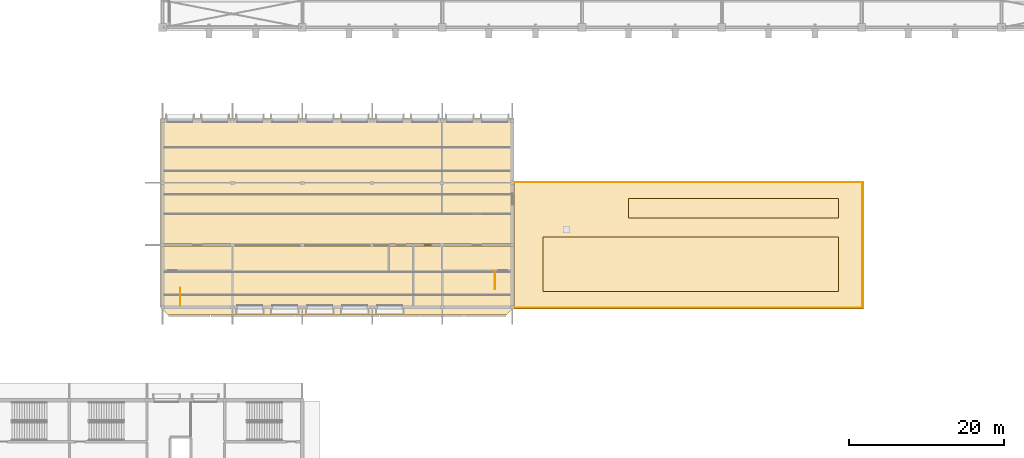
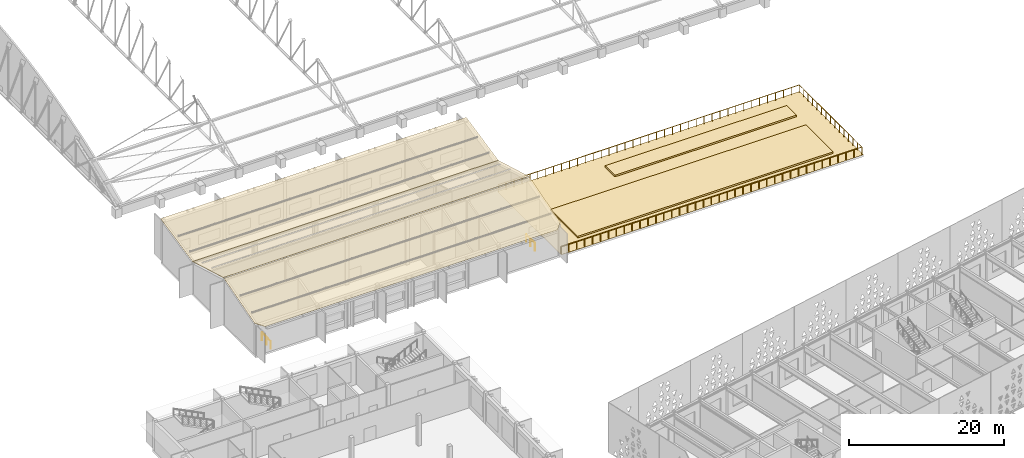
# One storey, part 189 of 196: 6 coverings, 3 railings.
"""IFC4 building model written with IfcOpenShell, lengths in metres."""

from ifc_helpers import new_model, si_unit, direction, frame, origin, origin_2d, place, context, subcontext, project, spatial, polyline, circle, outline, extrude, material, layer, layer_set, type_object, element, save


model = new_model("IFC4")

# Units and contexts
model_context = context("Model", 3, precision=1e-05, world=origin(), true_north=direction((0.0, 1.0)))
body_context = subcontext(model_context, "Body", "Model", "MODEL_VIEW")
ifc_project = project(units=[si_unit("LENGTHUNIT", "METRE"), si_unit("AREAUNIT", "SQUARE_METRE"), si_unit("VOLUMEUNIT", "CUBIC_METRE"), si_unit("PLANEANGLEUNIT", "RADIAN"), si_unit("MASSUNIT", "GRAM", prefix="KILO")], contexts=[model_context])

# Site, building, storey
site_placement = place(None, origin())
site = spatial("IfcSite", under=ifc_project, at=site_placement, CompositionType="ELEMENT")
building_placement = place(site_placement, origin())
building = spatial("IfcBuilding", under=site, at=building_placement, Name="Okhra Congress Centre", CompositionType="ELEMENT")
storey_placement = place(building_placement, frame((0.0, 0.0, 12.0)))
storey = spatial("IfcBuildingStorey", under=building, at=storey_placement, Name="L02", CompositionType="ELEMENT", Elevation=12.0)

# Coverings
ifc_material_1 = material(Name="Drainage mat, filter fleece, 150 mm lightweight substrate with sedum and herb planting")
ifc_layer_1 = layer(ifc_material_1, 0.25)
ifc_layer_set_1 = layer_set([ifc_layer_1], Name="Green roof planting bed 250")
covering_type_1 = type_object("IfcCoveringType", Name="Green roof planting bed 250", PredefinedType="USERDEFINED", material=ifc_layer_set_1)
covering_1_placement = place(storey_placement, frame((0.0, 0.0, 0.006103515625)))
element("IfcCovering", 1, at=covering_1_placement, inside=storey, type_object=covering_type_1, Name="Green roof planting bed", ObjectType="GREEN ROOF", PredefinedType="USERDEFINED", context=body_context, shape_type="SweptSolid", body=[
    extrude(outline(polyline([(77.0, 98.0), (115.0, 98.0), (115.0, 105.0), (77.0, 105.0), (77.0, 98.0)])), origin(), (0.0, 0.0, 1.0), 0.25),
])
covering_2_placement = place(storey_placement, frame((0.0, 0.0, 0.006103515625)))
element("IfcCovering", 2, at=covering_2_placement, inside=storey, type_object=covering_type_1, Name="Green roof planting bed", ObjectType="GREEN ROOF", PredefinedType="USERDEFINED", context=body_context, shape_type="SweptSolid", body=[
    extrude(outline(polyline([(88.0, 107.5), (115.0, 107.5), (115.0, 110.0), (88.0, 110.0), (88.0, 107.5)])), origin(), (0.0, 0.0, 1.0), 0.25),
])
ifc_material_2 = material(Name="Root-resistant bituminous waterproofing membrane, two layers")
ifc_layer_2 = layer(ifc_material_2, 0.006103515625)
ifc_layer_set_2 = layer_set([ifc_layer_2], Name="Roof waterproofing membrane 6")
covering_type_2 = type_object("IfcCoveringType", Name="Roof waterproofing membrane 6", PredefinedType="MEMBRANE", material=ifc_layer_set_2)
covering_3_placement = place(storey_placement, origin())
element("IfcCovering", 3, at=covering_3_placement, inside=storey, type_object=covering_type_2, Name="Roof waterproofing membrane", PredefinedType="MEMBRANE", context=body_context, shape_type="SweptSolid", body=[
    extrude(outline(polyline([(73.22509765625, 95.77490234375), (118.22509765625, 95.77490234375), (118.22509765625, 112.22509765625), (73.22509765625, 112.22509765625), (73.22509765625, 95.77490234375)])), origin(), (0.0, 0.0, 1.0), 0.006103515625),
])
ifc_material_3 = material(Name="Titanium-zinc standing-seam sheet on vapour-open underlay and timber boarding", Category="wood")
ifc_layer_3 = layer(ifc_material_3, 0.050048828125)
ifc_layer_set_3 = layer_set([ifc_layer_3], Name="Standing-seam zinc roofing 50")
covering_type_3 = type_object("IfcCoveringType", Name="Standing-seam zinc roofing 50", PredefinedType="ROOFING", material=ifc_layer_set_3)
covering_4_placement = place(storey_placement, frame((28.75, 95.0, 4.765380859375), z_axis=(0.0, -0.27563723116, 0.961261731683), x_axis=(1.0, 0.0, 0.0)))
element("IfcCovering", 4, at=covering_4_placement, inside=storey, type_object=covering_type_3, Name="Standing-seam roofing", PredefinedType="ROOFING", context=body_context, shape_type="SweptSolid", body=[
    extrude(outline(polyline([(0.0, 0.0), (43.5, 0.0), (44.5, 1.0402651763564303), (44.5, 9.258562291038155), (-1.0, 9.258562291038155), (-1.0, 1.0402651763564303), (0.0, 0.0)])), origin(), (0.0, 0.0, -1.0), 0.050048828125),
])
covering_5_placement = place(storey_placement, frame((27.75, 104.10009765625, 7.3173828125), z_axis=(0.0, 0.275650883332, 0.961257816883), x_axis=(1.0, 0.0, 0.0)))
element("IfcCovering", 5, at=covering_5_placement, inside=storey, type_object=covering_type_3, Name="Standing-seam roofing", PredefinedType="ROOFING", context=body_context, shape_type="SweptSolid", body=[
    extrude(outline(polyline([(0.0, 0.0), (45.5, 0.0), (45.5, 8.21829711551057), (0.0, 8.21829711551057), (0.0, 0.0)])), origin(), (0.0, 0.0, -1.0), 0.050048828125),
])
covering_6_placement = place(storey_placement, frame((27.75, 112.0, 5.051025390625), z_axis=(0.0, -0.20791968542, 0.978145901394), x_axis=(1.0, 0.0, 0.0)))
element("IfcCovering", 6, at=covering_6_placement, inside=storey, type_object=covering_type_3, Name="Standing-seam roofing", PredefinedType="ROOFING", context=body_context, shape_type="SweptSolid", body=[
    extrude(outline(polyline([(0.0, 0.0), (45.5, 0.0), (45.5, 8.434324560618803), (0.0, 8.434324560618803), (0.0, 0.0)])), origin(), (0.0, 0.0, -1.0), 0.050048828125),
])

# Railings
ifc_material_4 = material(Name="Painted steel tube guard with vertical steel balusters", Category="steel")
railing_type_1 = type_object("IfcRailingType", Name="Steel guard 1200", PredefinedType="GUARDRAIL", material=ifc_material_4)
railing_1_placement = place(storey_placement, frame((73.27490234375, 95.925048828125, 0.0)))
element("IfcRailing", 7, at=railing_1_placement, inside=storey, type_object=railing_type_1, Name="Roof garden guard, L01 block", PredefinedType="GUARDRAIL", context=body_context, shape_type="SweptSolid", body=[
    extrude(circle(Radius=0.02392578125, at=origin_2d()), frame((0.0, 0.0, 1.17578125), z_axis=(1.0, 0.0, 0.0), x_axis=(0.0, 1.0, 0.0)), (0.0, 0.0, 1.0), 44.800048828125),
    extrude(circle(Radius=0.02392578125, at=origin_2d()), frame((44.800048828125, 0.0, 1.17578125), z_axis=(0.0, 1.0, 0.0), x_axis=(-1.0, 0.0, 0.0)), (0.0, 0.0, 1.0), 16.14990234375),
    extrude(circle(Radius=0.02392578125, at=origin_2d()), frame((44.800048828125, 16.14990234375, 1.17578125), z_axis=(-1.0, 0.0, 0.0), x_axis=(0.0, -1.0, 0.0)), (0.0, 0.0, 1.0), 44.800048828125),
    extrude(circle(Radius=0.02099609375, at=origin_2d()), origin(), (0.0, 0.0, 1.0), 1.15185546875),
    extrude(circle(Radius=0.02099609375, at=origin_2d()), frame((1.178955078125, 0.0, 0.0)), (0.0, 0.0, 1.0), 1.15185546875),
    extrude(circle(Radius=0.02099609375, at=origin_2d()), frame((2.35791015625, 0.0, 0.0)), (0.0, 0.0, 1.0), 1.15185546875),
    extrude(circle(Radius=0.02099609375, at=origin_2d()), frame((3.536865234375, 0.0, 0.0)), (0.0, 0.0, 1.0), 1.15185546875),
    extrude(circle(Radius=0.02099609375, at=origin_2d()), frame((4.7158203125, 0.0, 0.0)), (0.0, 0.0, 1.0), 1.15185546875),
    extrude(circle(Radius=0.02099609375, at=origin_2d()), frame((5.894775390625, 0.0, 0.0)), (0.0, 0.0, 1.0), 1.15185546875),
    extrude(circle(Radius=0.02099609375, at=origin_2d()), frame((7.07373046875, 0.0, 0.0)), (0.0, 0.0, 1.0), 1.15185546875),
    extrude(circle(Radius=0.02099609375, at=origin_2d()), frame((8.252685546875, 0.0, 0.0)), (0.0, 0.0, 1.0), 1.15185546875),
    extrude(circle(Radius=0.02099609375, at=origin_2d()), frame((9.431640625, 0.0, 0.0)), (0.0, 0.0, 1.0), 1.15185546875),
    extrude(circle(Radius=0.02099609375, at=origin_2d()), frame((10.610595703125, 0.0, 0.0)), (0.0, 0.0, 1.0), 1.15185546875),
    extrude(circle(Radius=0.02099609375, at=origin_2d()), frame((11.78955078125, 0.0, 0.0)), (0.0, 0.0, 1.0), 1.15185546875),
    extrude(circle(Radius=0.02099609375, at=origin_2d()), frame((12.968505859375, 0.0, 0.0)), (0.0, 0.0, 1.0), 1.15185546875),
    extrude(circle(Radius=0.02099609375, at=origin_2d()), frame((14.1474609375, 0.0, 0.0)), (0.0, 0.0, 1.0), 1.15185546875),
    extrude(circle(Radius=0.02099609375, at=origin_2d()), frame((15.326416015625, 0.0, 0.0)), (0.0, 0.0, 1.0), 1.15185546875),
    extrude(circle(Radius=0.02099609375, at=origin_2d()), frame((16.50537109375, 0.0, 0.0)), (0.0, 0.0, 1.0), 1.15185546875),
    extrude(circle(Radius=0.02099609375, at=origin_2d()), frame((17.684326171875, 0.0, 0.0)), (0.0, 0.0, 1.0), 1.15185546875),
    extrude(circle(Radius=0.02099609375, at=origin_2d()), frame((18.86328125, 0.0, 0.0)), (0.0, 0.0, 1.0), 1.15185546875),
    extrude(circle(Radius=0.02099609375, at=origin_2d()), frame((20.042236328125, 0.0, 0.0)), (0.0, 0.0, 1.0), 1.15185546875),
    extrude(circle(Radius=0.02099609375, at=origin_2d()), frame((21.22119140625, 0.0, 0.0)), (0.0, 0.0, 1.0), 1.15185546875),
    extrude(circle(Radius=0.02099609375, at=origin_2d()), frame((22.39990234375, 0.0, 0.0)), (0.0, 0.0, 1.0), 1.15185546875),
    extrude(circle(Radius=0.02099609375, at=origin_2d()), frame((23.578857421875, 0.0, 0.0)), (0.0, 0.0, 1.0), 1.15185546875),
    extrude(circle(Radius=0.02099609375, at=origin_2d()), frame((24.7578125, 0.0, 0.0)), (0.0, 0.0, 1.0), 1.15185546875),
    extrude(circle(Radius=0.02099609375, at=origin_2d()), frame((25.936767578125, 0.0, 0.0)), (0.0, 0.0, 1.0), 1.15185546875),
    extrude(circle(Radius=0.02099609375, at=origin_2d()), frame((27.11572265625, 0.0, 0.0)), (0.0, 0.0, 1.0), 1.15185546875),
    extrude(circle(Radius=0.02099609375, at=origin_2d()), frame((28.294677734375, 0.0, 0.0)), (0.0, 0.0, 1.0), 1.15185546875),
    extrude(circle(Radius=0.02099609375, at=origin_2d()), frame((29.4736328125, 0.0, 0.0)), (0.0, 0.0, 1.0), 1.15185546875),
    extrude(circle(Radius=0.02099609375, at=origin_2d()), frame((30.652587890625, 0.0, 0.0)), (0.0, 0.0, 1.0), 1.15185546875),
    extrude(circle(Radius=0.02099609375, at=origin_2d()), frame((31.83154296875, 0.0, 0.0)), (0.0, 0.0, 1.0), 1.15185546875),
    extrude(circle(Radius=0.02099609375, at=origin_2d()), frame((33.010498046875, 0.0, 0.0)), (0.0, 0.0, 1.0), 1.15185546875),
    extrude(circle(Radius=0.02099609375, at=origin_2d()), frame((34.189453125, 0.0, 0.0)), (0.0, 0.0, 1.0), 1.15185546875),
    extrude(circle(Radius=0.02099609375, at=origin_2d()), frame((35.368408203125, 0.0, 0.0)), (0.0, 0.0, 1.0), 1.15185546875),
    extrude(circle(Radius=0.02099609375, at=origin_2d()), frame((36.54736328125, 0.0, 0.0)), (0.0, 0.0, 1.0), 1.15185546875),
    extrude(circle(Radius=0.02099609375, at=origin_2d()), frame((37.726318359375, 0.0, 0.0)), (0.0, 0.0, 1.0), 1.15185546875),
    extrude(circle(Radius=0.02099609375, at=origin_2d()), frame((38.9052734375, 0.0, 0.0)), (0.0, 0.0, 1.0), 1.15185546875),
    extrude(circle(Radius=0.02099609375, at=origin_2d()), frame((40.084228515625, 0.0, 0.0)), (0.0, 0.0, 1.0), 1.15185546875),
    extrude(circle(Radius=0.02099609375, at=origin_2d()), frame((41.26318359375, 0.0, 0.0)), (0.0, 0.0, 1.0), 1.15185546875),
    extrude(circle(Radius=0.02099609375, at=origin_2d()), frame((42.442138671875, 0.0, 0.0)), (0.0, 0.0, 1.0), 1.15185546875),
    extrude(circle(Radius=0.02099609375, at=origin_2d()), frame((43.62109375, 0.0, 0.0)), (0.0, 0.0, 1.0), 1.15185546875),
    extrude(circle(Radius=0.02099609375, at=origin_2d()), frame((44.800048828125, 0.0, 0.0)), (0.0, 0.0, 1.0), 1.15185546875),
    extrude(circle(Radius=0.02099609375, at=origin_2d()), frame((44.800048828125, 1.153564453125, 0.0)), (0.0, 0.0, 1.0), 1.15185546875),
    extrude(circle(Radius=0.02099609375, at=origin_2d()), frame((44.800048828125, 2.30712890625, 0.0)), (0.0, 0.0, 1.0), 1.15185546875),
    extrude(circle(Radius=0.02099609375, at=origin_2d()), frame((44.800048828125, 3.460693359375, 0.0)), (0.0, 0.0, 1.0), 1.15185546875),
    extrude(circle(Radius=0.02099609375, at=origin_2d()), frame((44.800048828125, 4.6142578125, 0.0)), (0.0, 0.0, 1.0), 1.15185546875),
    extrude(circle(Radius=0.02099609375, at=origin_2d()), frame((44.800048828125, 5.767822265625, 0.0)), (0.0, 0.0, 1.0), 1.15185546875),
    extrude(circle(Radius=0.02099609375, at=origin_2d()), frame((44.800048828125, 6.92138671875, 0.0)), (0.0, 0.0, 1.0), 1.15185546875),
    extrude(circle(Radius=0.02099609375, at=origin_2d()), frame((44.800048828125, 8.074951171875, 0.0)), (0.0, 0.0, 1.0), 1.15185546875),
    extrude(circle(Radius=0.02099609375, at=origin_2d()), frame((44.800048828125, 9.228515625, 0.0)), (0.0, 0.0, 1.0), 1.15185546875),
    extrude(circle(Radius=0.02099609375, at=origin_2d()), frame((44.800048828125, 10.382080078125, 0.0)), (0.0, 0.0, 1.0), 1.15185546875),
    extrude(circle(Radius=0.02099609375, at=origin_2d()), frame((44.800048828125, 11.53564453125, 0.0)), (0.0, 0.0, 1.0), 1.15185546875),
    extrude(circle(Radius=0.02099609375, at=origin_2d()), frame((44.800048828125, 12.689208984375, 0.0)), (0.0, 0.0, 1.0), 1.15185546875),
    extrude(circle(Radius=0.02099609375, at=origin_2d()), frame((44.800048828125, 13.8427734375, 0.0)), (0.0, 0.0, 1.0), 1.15185546875),
    extrude(circle(Radius=0.02099609375, at=origin_2d()), frame((44.800048828125, 14.996337890625, 0.0)), (0.0, 0.0, 1.0), 1.15185546875),
    extrude(circle(Radius=0.02099609375, at=origin_2d()), frame((44.800048828125, 16.14990234375, 0.0)), (0.0, 0.0, 1.0), 1.15185546875),
    extrude(circle(Radius=0.02099609375, at=origin_2d()), frame((43.62109375, 16.14990234375, 0.0)), (0.0, 0.0, 1.0), 1.15185546875),
    extrude(circle(Radius=0.02099609375, at=origin_2d()), frame((42.442138671875, 16.14990234375, 0.0)), (0.0, 0.0, 1.0), 1.15185546875),
    extrude(circle(Radius=0.02099609375, at=origin_2d()), frame((41.26318359375, 16.14990234375, 0.0)), (0.0, 0.0, 1.0), 1.15185546875),
    extrude(circle(Radius=0.02099609375, at=origin_2d()), frame((40.084228515625, 16.14990234375, 0.0)), (0.0, 0.0, 1.0), 1.15185546875),
    extrude(circle(Radius=0.02099609375, at=origin_2d()), frame((38.9052734375, 16.14990234375, 0.0)), (0.0, 0.0, 1.0), 1.15185546875),
    extrude(circle(Radius=0.02099609375, at=origin_2d()), frame((37.726318359375, 16.14990234375, 0.0)), (0.0, 0.0, 1.0), 1.15185546875),
    extrude(circle(Radius=0.02099609375, at=origin_2d()), frame((36.54736328125, 16.14990234375, 0.0)), (0.0, 0.0, 1.0), 1.15185546875),
    extrude(circle(Radius=0.02099609375, at=origin_2d()), frame((35.368408203125, 16.14990234375, 0.0)), (0.0, 0.0, 1.0), 1.15185546875),
    extrude(circle(Radius=0.02099609375, at=origin_2d()), frame((34.189453125, 16.14990234375, 0.0)), (0.0, 0.0, 1.0), 1.15185546875),
    extrude(circle(Radius=0.02099609375, at=origin_2d()), frame((33.010498046875, 16.14990234375, 0.0)), (0.0, 0.0, 1.0), 1.15185546875),
    extrude(circle(Radius=0.02099609375, at=origin_2d()), frame((31.83154296875, 16.14990234375, 0.0)), (0.0, 0.0, 1.0), 1.15185546875),
    extrude(circle(Radius=0.02099609375, at=origin_2d()), frame((30.652587890625, 16.14990234375, 0.0)), (0.0, 0.0, 1.0), 1.15185546875),
    extrude(circle(Radius=0.02099609375, at=origin_2d()), frame((29.4736328125, 16.14990234375, 0.0)), (0.0, 0.0, 1.0), 1.15185546875),
    extrude(circle(Radius=0.02099609375, at=origin_2d()), frame((28.294677734375, 16.14990234375, 0.0)), (0.0, 0.0, 1.0), 1.15185546875),
    extrude(circle(Radius=0.02099609375, at=origin_2d()), frame((27.11572265625, 16.14990234375, 0.0)), (0.0, 0.0, 1.0), 1.15185546875),
    extrude(circle(Radius=0.02099609375, at=origin_2d()), frame((25.936767578125, 16.14990234375, 0.0)), (0.0, 0.0, 1.0), 1.15185546875),
    extrude(circle(Radius=0.02099609375, at=origin_2d()), frame((24.7578125, 16.14990234375, 0.0)), (0.0, 0.0, 1.0), 1.15185546875),
    extrude(circle(Radius=0.02099609375, at=origin_2d()), frame((23.578857421875, 16.14990234375, 0.0)), (0.0, 0.0, 1.0), 1.15185546875),
    extrude(circle(Radius=0.02099609375, at=origin_2d()), frame((22.39990234375, 16.14990234375, 0.0)), (0.0, 0.0, 1.0), 1.15185546875),
    extrude(circle(Radius=0.02099609375, at=origin_2d()), frame((21.22119140625, 16.14990234375, 0.0)), (0.0, 0.0, 1.0), 1.15185546875),
    extrude(circle(Radius=0.02099609375, at=origin_2d()), frame((20.042236328125, 16.14990234375, 0.0)), (0.0, 0.0, 1.0), 1.15185546875),
    extrude(circle(Radius=0.02099609375, at=origin_2d()), frame((18.86328125, 16.14990234375, 0.0)), (0.0, 0.0, 1.0), 1.15185546875),
    extrude(circle(Radius=0.02099609375, at=origin_2d()), frame((17.684326171875, 16.14990234375, 0.0)), (0.0, 0.0, 1.0), 1.15185546875),
    extrude(circle(Radius=0.02099609375, at=origin_2d()), frame((16.50537109375, 16.14990234375, 0.0)), (0.0, 0.0, 1.0), 1.15185546875),
    extrude(circle(Radius=0.02099609375, at=origin_2d()), frame((15.326416015625, 16.14990234375, 0.0)), (0.0, 0.0, 1.0), 1.15185546875),
    extrude(circle(Radius=0.02099609375, at=origin_2d()), frame((14.1474609375, 16.14990234375, 0.0)), (0.0, 0.0, 1.0), 1.15185546875),
    extrude(circle(Radius=0.02099609375, at=origin_2d()), frame((12.968505859375, 16.14990234375, 0.0)), (0.0, 0.0, 1.0), 1.15185546875),
    extrude(circle(Radius=0.02099609375, at=origin_2d()), frame((11.78955078125, 16.14990234375, 0.0)), (0.0, 0.0, 1.0), 1.15185546875),
    extrude(circle(Radius=0.02099609375, at=origin_2d()), frame((10.610595703125, 16.14990234375, 0.0)), (0.0, 0.0, 1.0), 1.15185546875),
    extrude(circle(Radius=0.02099609375, at=origin_2d()), frame((9.431640625, 16.14990234375, 0.0)), (0.0, 0.0, 1.0), 1.15185546875),
    extrude(circle(Radius=0.02099609375, at=origin_2d()), frame((8.252685546875, 16.14990234375, 0.0)), (0.0, 0.0, 1.0), 1.15185546875),
    extrude(circle(Radius=0.02099609375, at=origin_2d()), frame((7.07373046875, 16.14990234375, 0.0)), (0.0, 0.0, 1.0), 1.15185546875),
    extrude(circle(Radius=0.02099609375, at=origin_2d()), frame((5.894775390625, 16.14990234375, 0.0)), (0.0, 0.0, 1.0), 1.15185546875),
    extrude(circle(Radius=0.02099609375, at=origin_2d()), frame((4.7158203125, 16.14990234375, 0.0)), (0.0, 0.0, 1.0), 1.15185546875),
    extrude(circle(Radius=0.02099609375, at=origin_2d()), frame((3.536865234375, 16.14990234375, 0.0)), (0.0, 0.0, 1.0), 1.15185546875),
    extrude(circle(Radius=0.02099609375, at=origin_2d()), frame((2.35791015625, 16.14990234375, 0.0)), (0.0, 0.0, 1.0), 1.15185546875),
    extrude(circle(Radius=0.02099609375, at=origin_2d()), frame((1.178955078125, 16.14990234375, 0.0)), (0.0, 0.0, 1.0), 1.15185546875),
    extrude(circle(Radius=0.02099609375, at=origin_2d()), frame((0.0, 16.14990234375, 0.0)), (0.0, 0.0, 1.0), 1.15185546875),
])
railing_type_2 = type_object("IfcRailingType", Name="Steel stair guard 1200", PredefinedType="GUARDRAIL", material=ifc_material_4)
railing_2_placement = place(storey_placement, frame((30.27490234375, 96.22509765625, 0.0)))
element("IfcRailing", 8, at=railing_2_placement, inside=storey, type_object=railing_type_2, Name="L02 A top well guard 1", PredefinedType="GUARDRAIL", context=body_context, shape_type="SweptSolid", body=[
    extrude(circle(Radius=0.02392578125, at=origin_2d()), frame((0.0, 0.0, 1.17578125), z_axis=(0.0, 1.0, 0.0), x_axis=(-1.0, 0.0, 0.0)), (0.0, 0.0, 1.0), 2.25),
    extrude(circle(Radius=0.02099609375, at=origin_2d()), origin(), (0.0, 0.0, 1.0), 1.15185546875),
    extrude(circle(Radius=0.02099609375, at=origin_2d()), frame((0.0, 1.125, 0.0)), (0.0, 0.0, 1.0), 1.15185546875),
    extrude(circle(Radius=0.02099609375, at=origin_2d()), frame((0.0, 2.25, 0.0)), (0.0, 0.0, 1.0), 1.15185546875),
])
railing_3_placement = place(storey_placement, frame((70.800048828125, 100.574951171875, 0.0)))
element("IfcRailing", 9, at=railing_3_placement, inside=storey, type_object=railing_type_2, Name="L02 B top well guard 1", PredefinedType="GUARDRAIL", context=body_context, shape_type="SweptSolid", body=[
    extrude(circle(Radius=0.02392578125, at=origin_2d()), frame((0.0, 0.0, 1.17578125), z_axis=(0.0, -1.0, 0.0), x_axis=(1.0, 0.0, 0.0)), (0.0, 0.0, 1.0), 2.25),
    extrude(circle(Radius=0.02099609375, at=origin_2d()), origin(), (0.0, 0.0, 1.0), 1.15185546875),
    extrude(circle(Radius=0.02099609375, at=origin_2d()), frame((0.0, -1.125, 0.0)), (0.0, 0.0, 1.0), 1.15185546875),
    extrude(circle(Radius=0.02099609375, at=origin_2d()), frame((0.0, -2.25, 0.0)), (0.0, 0.0, 1.0), 1.15185546875),
])

save(model, "model.ifc")
